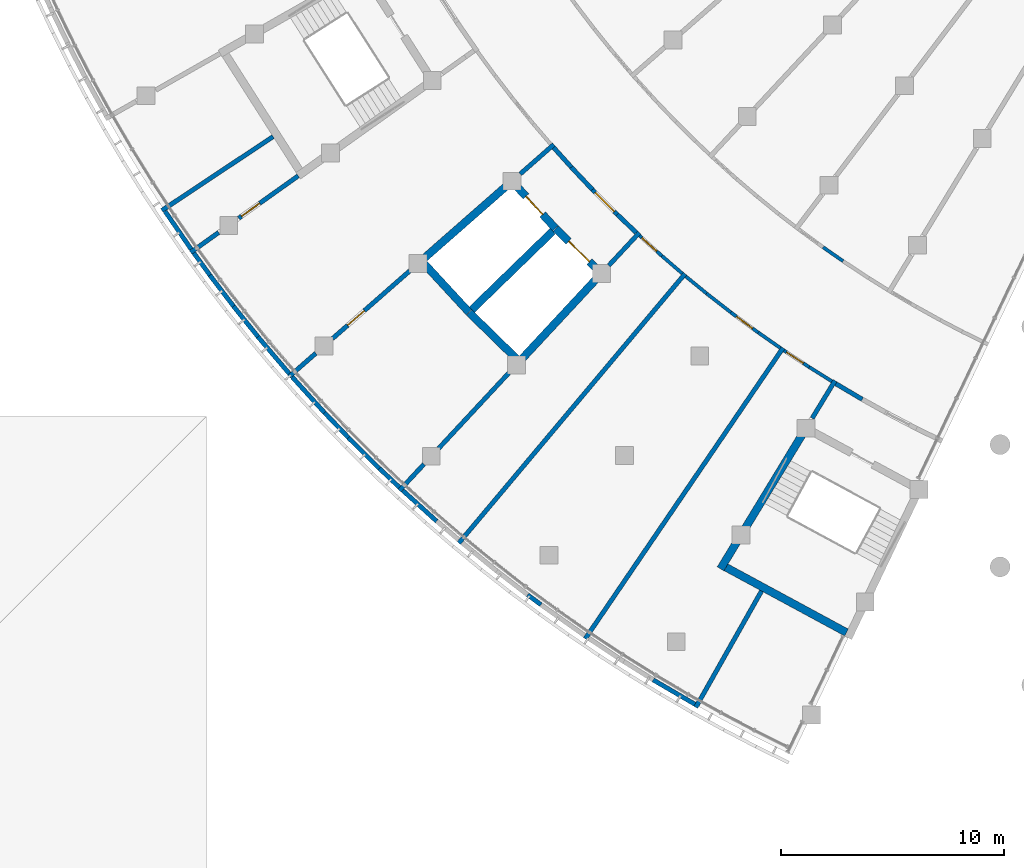
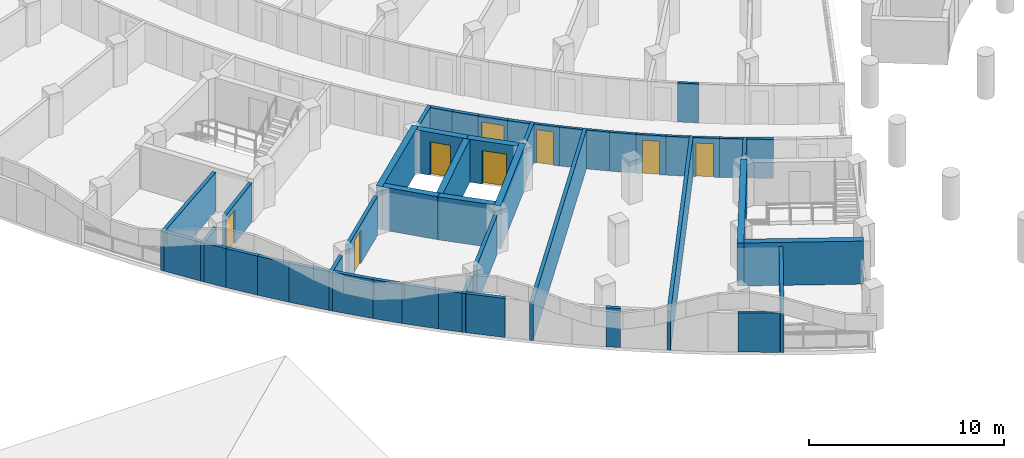
# One storey, part 37 of 89: 48 walls, 8 doors, 8 openings.
"""IFC4 building model written with IfcOpenShell, lengths in metres."""

from ifc_helpers import new_model, si_unit, direction, frame, frame_2d, origin, place, context, subcontext, project, spatial, rectangle, extrude, material, layer, layer_set, type_object, element, fill, save


model = new_model("IFC4")

# Units and contexts
model_context = context("Model", 3, precision=1e-05, world=origin(), true_north=direction((0.0, 1.0)))
body_context = subcontext(model_context, "Body", "Model", "MODEL_VIEW")
ifc_project = project(units=[si_unit("LENGTHUNIT", "METRE"), si_unit("AREAUNIT", "SQUARE_METRE"), si_unit("VOLUMEUNIT", "CUBIC_METRE"), si_unit("PLANEANGLEUNIT", "RADIAN"), si_unit("MASSUNIT", "GRAM", prefix="KILO")], contexts=[model_context])

# Site, building, storey
site_placement = place(None, origin())
site = spatial("IfcSite", under=ifc_project, at=site_placement, CompositionType="ELEMENT")
building_placement = place(site_placement, origin())
building = spatial("IfcBuilding", under=site, at=building_placement, Name="Bougainvillea Quay General Hospital", CompositionType="ELEMENT")
storey_placement = place(building_placement, frame((0.0, 0.0, 9.89990234375)))
storey = spatial("IfcBuildingStorey", under=building, at=storey_placement, Name="L01M", CompositionType="ELEMENT", Elevation=9.89990234375)

# Wall, opening, door
ifc_material_1 = material(Name="Gypsum board partition on steel studs, insulated", Category="steel")
ifc_layer_1 = layer(ifc_material_1, 0.14990234375)
ifc_layer_set_1 = layer_set([ifc_layer_1], Name="Gypsum board partition on steel studs, insulated")
wall_type_1 = type_object("IfcWallType", Name="Partition 150 Gypsum board partition EI 60", PredefinedType="PARTITIONING", material=ifc_layer_set_1)
wall_1_placement = place(storey_placement, frame((78.692138671875, 80.960205078125, 0.0), z_axis=(0.0, 0.0, 1.0), x_axis=(0.834207926362, -0.551450030007, 0.0)))
wall_1 = element("IfcWall", 1, at=wall_1_placement, inside=storey, type_object=wall_type_1, Name="Partition 150 mm EI 60", PredefinedType="PARTITIONING", context=body_context, shape_type="SweptSolid", body=[
    extrude(rectangle(XDim=1.353759765625, YDim=0.14990234375, at=frame_2d((0.6767578125, 0.0))), origin(), (0.0, 0.0, 1.0), 2.4501953125),
])
opening_1_placement = place(wall_1_placement, frame((0.138916015625, 0.0, 0.0)))
opening_1 = element("IfcOpeningElement", 2, at=opening_1_placement, cuts=wall_1, Name="Opening L01M.171", PredefinedType="OPENING", context=body_context, shape_type="SweptSolid", body=[
    extrude(rectangle(XDim=0.89990234375, YDim=2.10009765625, at=frame_2d((0.449951171875, 1.050048828125))), frame((0.0, 0.0849609375, 0.0), z_axis=(0.0, -1.0, 0.0), x_axis=(1.0, 0.0, 0.0)), (0.0, 0.0, 1.0), 0.169921875),
])
ifc_material_2 = material(Name="Solid-core timber door leaf in steel frame", Category="steel")
door_type_1 = type_object("IfcDoorType", Name="Single leaf door 900x2100 FD30S", OperationType="NOTDEFINED", PredefinedType="DOOR", material=ifc_material_2)
door_1_placement = place(opening_1_placement, frame((0.89990234375, 0.0, 0.0), z_axis=(0.0, 0.0, 1.0), x_axis=(-1.0, 0.0, 0.0)))
door_1 = element("IfcDoor", 3, at=door_1_placement, inside=storey, type_object=door_type_1, Name="DT16 L01M.171", OperationType="SINGLE_SWING_RIGHT", OverallHeight=2.10009765625, OverallWidth=0.89990234375, PredefinedType="DOOR", context=body_context, shape_type="SweptSolid", body=[
    extrude(rectangle(XDim=0.89990234375, YDim=2.10009765625, at=frame_2d((0.449951171875, 1.050048828125))), frame((0.0, 0.02490234375, 0.0), z_axis=(0.0, -1.0, 0.0), x_axis=(1.0, 0.0, 0.0)), (0.0, 0.0, 1.0), 0.050048828125),
])
fill(opening_1, door_1)

wall_2_placement = place(storey_placement, frame((72.219482421875, 86.1044921875, 0.0), z_axis=(0.0, 0.0, 1.0), x_axis=(0.740731564109, -0.671801123795, 0.0)))
wall_2 = element("IfcWall", 4, at=wall_2_placement, inside=storey, type_object=wall_type_1, Name="Partition 150 mm EI 60", PredefinedType="PARTITIONING", context=body_context, shape_type="SweptSolid", body=[
    extrude(rectangle(XDim=1.35302734375, YDim=0.14990234375, at=frame_2d((0.676513671875, 0.0))), origin(), (0.0, 0.0, 1.0), 2.4501953125),
])
opening_2_placement = place(wall_2_placement, frame((0.137939453125, 0.0, 0.0)))
opening_2 = element("IfcOpeningElement", 5, at=opening_2_placement, cuts=wall_2, Name="Opening L01M.173", PredefinedType="OPENING", context=body_context, shape_type="SweptSolid", body=[
    extrude(rectangle(XDim=0.89990234375, YDim=2.10009765625, at=frame_2d((0.449951171875, 1.050048828125))), frame((0.0, 0.0849609375, 0.0), z_axis=(0.0, -1.0, 0.0), x_axis=(1.0, 0.0, 0.0)), (0.0, 0.0, 1.0), 0.169921875),
])
door_2_placement = place(opening_2_placement, frame((0.89990234375, 0.0, 0.0), z_axis=(0.0, 0.0, 1.0), x_axis=(-1.0, 0.0, 0.0)))
door_2 = element("IfcDoor", 6, at=door_2_placement, inside=storey, type_object=door_type_1, Name="DT16 L01M.173", OperationType="SINGLE_SWING_RIGHT", OverallHeight=2.10009765625, OverallWidth=0.89990234375, PredefinedType="DOOR", context=body_context, shape_type="SweptSolid", body=[
    extrude(rectangle(XDim=0.89990234375, YDim=2.10009765625, at=frame_2d((0.449951171875, 1.050048828125))), frame((0.0, 0.02490234375, 0.0), z_axis=(0.0, -1.0, 0.0), x_axis=(1.0, 0.0, 0.0)), (0.0, 0.0, 1.0), 0.050048828125),
])
fill(opening_2, door_2)

wall_3_placement = place(storey_placement, frame((76.306640625, 82.66943359375, 0.0), z_axis=(0.0, 0.0, 1.0), x_axis=(0.805236329308, -0.592954006616, 0.0)))
wall_3 = element("IfcWall", 7, at=wall_3_placement, inside=storey, type_object=wall_type_1, Name="Partition 150 mm EI 60", PredefinedType="PARTITIONING", context=body_context, shape_type="SweptSolid", body=[
    extrude(rectangle(XDim=1.529541015625, YDim=0.14990234375, at=frame_2d((0.7646484375, 0.0))), origin(), (0.0, 0.0, 1.0), 2.4501953125),
])
opening_3_placement = place(wall_3_placement, frame((0.314697265625, 0.0, 0.0)))
opening_3 = element("IfcOpeningElement", 8, at=opening_3_placement, cuts=wall_3, Name="Opening L01M.172", PredefinedType="OPENING", context=body_context, shape_type="SweptSolid", body=[
    extrude(rectangle(XDim=0.89990234375, YDim=2.10009765625, at=frame_2d((0.449951171875, 1.050048828125))), frame((0.0, 0.0849609375, 0.0), z_axis=(0.0, -1.0, 0.0), x_axis=(1.0, 0.0, 0.0)), (0.0, 0.0, 1.0), 0.169921875),
])
door_3_placement = place(opening_3_placement, frame((0.89990234375, 0.0, 0.0), z_axis=(0.0, 0.0, 1.0), x_axis=(-1.0, 0.0, 0.0)))
door_3 = element("IfcDoor", 9, at=door_3_placement, inside=storey, type_object=door_type_1, Name="DT16 L01M.172", OperationType="SINGLE_SWING_RIGHT", OverallHeight=2.10009765625, OverallWidth=0.89990234375, PredefinedType="DOOR", context=body_context, shape_type="SweptSolid", body=[
    extrude(rectangle(XDim=0.89990234375, YDim=2.10009765625, at=frame_2d((0.449951171875, 1.050048828125))), frame((0.0, 0.02490234375, 0.0), z_axis=(0.0, -1.0, 0.0), x_axis=(1.0, 0.0, 0.0)), (0.0, 0.0, 1.0), 0.050048828125),
])
fill(opening_3, door_3)

# Walls
wall_4_placement = place(storey_placement, frame((75.21875, 83.51806640625, 0.0), z_axis=(0.0, 0.0, 1.0), x_axis=(0.789380762606, -0.613903910744, 0.0)))
element("IfcWall", 10, at=wall_4_placement, inside=storey, type_object=wall_type_1, Name="Partition 150 mm EI 60", PredefinedType="PARTITIONING", context=body_context, shape_type="SweptSolid", body=[
    extrude(rectangle(XDim=1.381591796875, YDim=0.14990234375, at=frame_2d((0.69091796875, 0.0))), origin(), (0.0, 0.0, 1.0), 2.4501953125),
])
for number, where, z_axis, x_axis, name in (
    (11, (74.2880859375, 84.281005859375, 0.0), (0.0, 0.0, 1.0), (0.774264088252, -0.632862640423, 0.0), "Partition 150 mm EI 60"),
    (12, (77.5380859375, 81.764892578125, 0.0), (0.0, 0.0, 1.0), (0.819308057674, -0.573353561627, 0.0), "Partition 150 mm EI 60"),
):
    element("IfcWall", number, at=place(storey_placement, frame(where, z_axis=z_axis, x_axis=x_axis)), inside=storey, type_object=wall_type_1, Name=name, PredefinedType="PARTITIONING", context=body_context, shape_type="SweptSolid", body=[
        extrude(rectangle(XDim=1.205078125, YDim=0.14990234375, at=frame_2d((0.6025390625, 0.0))), origin(), (0.0, 0.0, 1.0), 2.4501953125),
    ])
wall_5_placement = place(storey_placement, frame((79.821044921875, 80.216064453125, 0.0), z_axis=(0.0, 0.0, 1.0), x_axis=(0.847587948991, -0.530654943184, 0.0)))
element("IfcWall", 13, at=wall_5_placement, inside=storey, type_object=wall_type_1, Name="Partition 150 mm EI 60", PredefinedType="PARTITIONING", context=body_context, shape_type="SweptSolid", body=[
    extrude(rectangle(XDim=1.2041015625, YDim=0.14990234375, at=frame_2d((0.60205078125, 0.0))), origin(), (0.0, 0.0, 1.0), 2.4501953125),
])
wall_6_placement = place(storey_placement, frame((73.221435546875, 85.1982421875, 0.0), z_axis=(0.0, 0.0, 1.0), x_axis=(0.756977886772, -0.653440493801, 0.0)))
element("IfcWall", 14, at=wall_6_placement, inside=storey, type_object=wall_type_1, Name="Partition 150 mm EI 60", PredefinedType="PARTITIONING", context=body_context, shape_type="SweptSolid", body=[
    extrude(rectangle(XDim=1.204833984375, YDim=0.14990234375, at=frame_2d((0.6025390625, 0.0))), origin(), (0.0, 0.0, 1.0), 2.4501953125),
])
wall_7_placement = place(storey_placement, frame((80.44384765625, 85.58935546875, 0.0), z_axis=(0.0, 0.0, 1.0), x_axis=(0.821096473197, -0.570789437274, 0.0)))
element("IfcWall", 15, at=wall_7_placement, inside=storey, type_object=wall_type_1, Name="Partition 150 mm EI 60", PredefinedType="PARTITIONING", context=body_context, shape_type="SweptSolid", body=[
    extrude(rectangle(XDim=1.092529296875, YDim=0.14990234375, at=frame_2d((0.54638671875, 0.0))), origin(), (0.0, 0.0, 1.0), 2.4501953125),
])
ifc_material_3 = material(Name="Fire-rated autoclaved aerated block wall, plastered")
ifc_layer_2 = layer(ifc_material_3, 0.199951171875)
ifc_layer_set_2 = layer_set([ifc_layer_2], Name="Fire-rated autoclaved aerated block wall, plastered")
wall_type_2 = type_object("IfcWallType", Name="Partition 200 Fire-rated autoclaved aerated block wall EI 120", PredefinedType="SOLIDWALL", material=ifc_layer_set_2)
wall_8_placement = place(storey_placement, frame((70.83740234375, 84.768798828125, 0.0), z_axis=(0.0, 0.0, 1.0), x_axis=(0.681244203436, 0.732056237789, 0.0)))
element("IfcWall", 16, at=wall_8_placement, inside=storey, type_object=wall_type_2, Name="Partition 200 mm EI 120", PredefinedType="SOLIDWALL", context=body_context, shape_type="SweptSolid", body=[
    extrude(rectangle(XDim=2.01806640625, YDim=0.199951171875, at=frame_2d((1.009033203125, 0.0))), origin(), (0.0, 0.0, 1.0), 2.4501953125),
])
wall_9_placement = place(storey_placement, frame((79.955322265625, 77.923828125, 0.0), z_axis=(0.0, 0.0, 1.0), x_axis=(0.519675881268, 0.85436349315, 0.0)))
element("IfcWall", 17, at=wall_9_placement, inside=storey, type_object=wall_type_2, Name="Partition 200 mm EI 120", PredefinedType="SOLIDWALL", context=body_context, shape_type="SweptSolid", body=[
    extrude(rectangle(XDim=1.9716796875, YDim=0.199951171875, at=frame_2d((0.98583984375, 0.0))), origin(), (0.0, 0.0, 1.0), 2.4501953125),
])
wall_10_placement = place(storey_placement, frame((66.869140625, 88.874267578125, 0.0), z_axis=(0.0, 0.0, 1.0), x_axis=(0.751874567132, 0.659306177205, 0.0)))
element("IfcWall", 18, at=wall_10_placement, inside=storey, type_object=wall_type_2, Name="Partition 200 mm EI 120", PredefinedType="SOLIDWALL", context=body_context, shape_type="SweptSolid", body=[
    extrude(rectangle(XDim=2.00439453125, YDim=0.199951171875, at=frame_2d((1.002197265625, 0.0))), origin(), (0.0, 0.0, 1.0), 2.4501953125),
])

# Wall, opening, door
wall_11_placement = place(storey_placement, frame((70.101318359375, 88.173828125, 0.0), z_axis=(0.0, 0.0, 1.0), x_axis=(0.705714994949, -0.708495833371, 0.0)))
wall_11 = element("IfcWall", 19, at=wall_11_placement, inside=storey, type_object=wall_type_2, Name="Partition 200 mm EI 120", PredefinedType="SOLIDWALL", context=body_context, shape_type="SweptSolid", body=[
    extrude(rectangle(XDim=1.580322265625, YDim=0.199951171875, at=frame_2d((0.7900390625, 0.0))), origin(), (0.0, 0.0, 1.0), 2.4501953125),
])
opening_4_placement = place(wall_11_placement, frame((0.190185546875, 0.0, 0.0)))
opening_4 = element("IfcOpeningElement", 20, at=opening_4_placement, cuts=wall_11, Name="Opening L01M.169", PredefinedType="OPENING", context=body_context, shape_type="SweptSolid", body=[
    extrude(rectangle(XDim=1.199951171875, YDim=2.10009765625, at=frame_2d((0.60009765625, 1.050048828125))), frame((0.0, 0.10986328125, 0.0), z_axis=(0.0, -1.0, 0.0), x_axis=(1.0, 0.0, 0.0)), (0.0, 0.0, 1.0), 0.219970703125),
])
door_type_2 = type_object("IfcDoorType", Name="Single leaf door 1200x2100 FD60", OperationType="NOTDEFINED", PredefinedType="DOOR", material=ifc_material_2)
door_4_placement = place(opening_4_placement, frame((1.199951171875, 0.0, 0.0), z_axis=(0.0, 0.0, 1.0), x_axis=(-1.0, 0.0, 0.0)))
door_4 = element("IfcDoor", 21, at=door_4_placement, inside=storey, type_object=door_type_2, Name="DT12 L01M.169", OperationType="SINGLE_SWING_LEFT", OverallHeight=2.10009765625, OverallWidth=1.199951171875, PredefinedType="DOOR", context=body_context, shape_type="SweptSolid", body=[
    extrude(rectangle(XDim=1.199951171875, YDim=2.10009765625, at=frame_2d((0.60009765625, 1.050048828125))), frame((0.0, 0.02490234375, 0.0), z_axis=(0.0, -1.0, 0.0), x_axis=(1.0, 0.0, 0.0)), (0.0, 0.0, 1.0), 0.050048828125),
])
fill(opening_4, door_4)

# Walls
wall_12_placement = place(storey_placement, frame((81.01513671875, 79.471435546875, 0.0), z_axis=(0.0, 0.0, 1.0), x_axis=(0.860926528214, -0.508729312127, 0.0)))
element("IfcWall", 22, at=wall_12_placement, inside=storey, type_object=wall_type_2, Name="Partition 200 mm EI 120", PredefinedType="SOLIDWALL", context=body_context, shape_type="SweptSolid", body=[
    extrude(rectangle(XDim=1.378662109375, YDim=0.199951171875, at=frame_2d((0.689453125, 0.0))), origin(), (0.0, 0.0, 1.0), 2.4501953125),
])
wall_13_placement = place(storey_placement, frame((69.1552734375, 89.177490234375, 0.0), z_axis=(0.0, 0.0, 1.0), x_axis=(0.687313254989, -0.726361128858, 0.0)))
element("IfcWall", 23, at=wall_13_placement, inside=storey, type_object=wall_type_2, Name="Partition 200 mm EI 120", PredefinedType="SOLIDWALL", context=body_context, shape_type="SweptSolid", body=[
    extrude(rectangle(XDim=1.3818359375, YDim=0.199951171875, at=frame_2d((0.69091796875, 0.0))), origin(), (0.0, 0.0, 1.0), 2.4501953125),
])
for number, where, z_axis, x_axis, name in (
    (24, (68.368896484375, 90.0546875, 0.0), (0.0, 0.0, 1.0), (0.669113274241, -0.74316043102, 0.0), "Partition 200 mm EI 120"),
    (25, (71.216552734375, 87.0576171875, 0.0), (0.0, 0.0, 1.0), (0.723660671666, -0.6901559478, 0.0), "Partition 200 mm EI 120"),
):
    element("IfcWall", number, at=place(storey_placement, frame(where, z_axis=z_axis, x_axis=x_axis)), inside=storey, type_object=wall_type_2, Name=name, PredefinedType="SOLIDWALL", context=body_context, shape_type="SweptSolid", body=[
        extrude(rectangle(XDim=1.180419921875, YDim=0.199951171875, at=frame_2d((0.59033203125, 0.0))), origin(), (0.0, 0.0, 1.0), 2.4501953125),
    ])
ifc_layer_3 = layer(ifc_material_3, 0.199951171875)
ifc_layer_set_3 = layer_set([ifc_layer_3], Name="Fire-rated autoclaved aerated block wall, plastered")
wall_type_3 = type_object("IfcWallType", Name="Partition 200 Fire-rated autoclaved aerated block wall EI 60", PredefinedType="SOLIDWALL", material=ifc_layer_set_3)
wall_14_placement = place(storey_placement, frame((69.78173828125, 68.037353515625, 0.0), z_axis=(0.0, 0.0, 1.0), x_axis=(0.562346860179, 0.826901450505, 0.0)))
element("IfcWall", 26, at=wall_14_placement, inside=storey, type_object=wall_type_3, Name="Partition 200 mm EI 60", PredefinedType="SOLIDWALL", context=body_context, shape_type="SweptSolid", body=[
    extrude(rectangle(XDim=15.770263671875, YDim=0.199951171875, at=frame_2d((7.88525390625, 0.0))), origin(), (0.0, 0.0, 1.0), 2.4501953125),
])
wall_15_placement = place(storey_placement, frame((64.11572265625, 72.327392578125, 0.0), z_axis=(0.0, 0.0, 1.0), x_axis=(0.643177926086, 0.76571675925, 0.0)))
element("IfcWall", 27, at=wall_15_placement, inside=storey, type_object=wall_type_3, Name="Partition 200 mm EI 60", PredefinedType="SOLIDWALL", context=body_context, shape_type="SweptSolid", body=[
    extrude(rectangle(XDim=15.76953125, YDim=0.199951171875, at=frame_2d((7.884765625, 0.0))), origin(), (0.0, 0.0, 1.0), 2.4501953125),
])

# Wall, opening, door
wall_16_placement = place(storey_placement, frame((56.91552734375, 88.788330078125, 0.0), z_axis=(0.0, 0.0, 1.0), x_axis=(-0.81471495387, -0.579861659313, 0.0)))
wall_16 = element("IfcWall", 28, at=wall_16_placement, inside=storey, type_object=wall_type_3, Name="Partition 200 mm EI 60", PredefinedType="SOLIDWALL", context=body_context, shape_type="SweptSolid", body=[
    extrude(rectangle(XDim=3.2734375, YDim=0.199951171875, at=frame_2d((1.63671875, 0.0))), origin(), (0.0, 0.0, 1.0), 2.4501953125),
])
opening_5_placement = place(wall_16_placement, frame((2.123046875, 0.0, 0.0)))
opening_5 = element("IfcOpeningElement", 29, at=opening_5_placement, cuts=wall_16, Name="Opening L01M.202", PredefinedType="OPENING", context=body_context, shape_type="SweptSolid", body=[
    extrude(rectangle(XDim=1.0, YDim=2.10009765625, at=frame_2d((0.5, 1.050048828125))), frame((0.0, 0.10986328125, 0.0), z_axis=(0.0, -1.0, 0.0), x_axis=(1.0, 0.0, 0.0)), (0.0, 0.0, 1.0), 0.219970703125),
])
door_type_3 = type_object("IfcDoorType", Name="Single leaf door 1000x2100 FD60", OperationType="NOTDEFINED", PredefinedType="DOOR", material=ifc_material_2)
door_5_placement = place(opening_5_placement, frame((1.0, 0.0, 0.0), z_axis=(0.0, 0.0, 1.0), x_axis=(-1.0, 0.0, 0.0)))
door_5 = element("IfcDoor", 30, at=door_5_placement, inside=storey, type_object=door_type_3, Name="DT14 L01M.202", OperationType="SINGLE_SWING_LEFT", OverallHeight=2.10009765625, OverallWidth=1.0, PredefinedType="DOOR", context=body_context, shape_type="SweptSolid", body=[
    extrude(rectangle(XDim=1.0, YDim=2.10009765625, at=frame_2d((0.5, 1.050048828125))), frame((0.0, 0.02490234375, 0.0), z_axis=(0.0, -1.0, 0.0), x_axis=(1.0, 0.0, 0.0)), (0.0, 0.0, 1.0), 0.050048828125),
])
fill(opening_5, door_5)

# Walls
wall_17_placement = place(storey_placement, frame((53.348876953125, 86.249755859375, 0.0), z_axis=(0.0, 0.0, 1.0), x_axis=(-0.814747724333, -0.57981561353, 0.0)))
element("IfcWall", 31, at=wall_17_placement, inside=storey, type_object=wall_type_3, Name="Partition 200 mm EI 60", PredefinedType="SOLIDWALL", context=body_context, shape_type="SweptSolid", body=[
    extrude(rectangle(XDim=1.543212890625, YDim=0.199951171875, at=frame_2d((0.771484375, 0.0))), origin(), (0.0, 0.0, 1.0), 2.4501953125),
])
wall_18_placement = place(storey_placement, frame((61.452880859375, 74.682861328125, 0.0), z_axis=(0.0, 0.0, 1.0), x_axis=(0.681298293641, 0.732005898256, 0.0)))
element("IfcWall", 32, at=wall_18_placement, inside=storey, type_object=wall_type_3, Name="Partition 200 mm EI 60", PredefinedType="SOLIDWALL", context=body_context, shape_type="SweptSolid", body=[
    extrude(rectangle(XDim=1.613037109375, YDim=0.199951171875, at=frame_2d((0.806640625, 0.0))), origin(), (0.0, 0.0, 1.0), 2.4501953125),
])
wall_19_placement = place(storey_placement, frame((63.208251953125, 76.569091796875, 0.0), z_axis=(0.0, 0.0, 1.0), x_axis=(0.681260886231, 0.732040712592, 0.0)))
element("IfcWall", 33, at=wall_19_placement, inside=storey, type_object=wall_type_3, Name="Partition 200 mm EI 60", PredefinedType="SOLIDWALL", context=body_context, shape_type="SweptSolid", body=[
    extrude(rectangle(XDim=4.634765625, YDim=0.199951171875, at=frame_2d((2.3173828125, 0.0))), origin(), (0.0, 0.0, 1.0), 2.4501953125),
])
wall_20_placement = place(storey_placement, frame((56.501708984375, 79.781982421875, 0.0), z_axis=(0.0, 0.0, 1.0), x_axis=(0.751838752522, 0.659347018046, 0.0)))
element("IfcWall", 34, at=wall_20_placement, inside=storey, type_object=wall_type_3, Name="Partition 200 mm EI 60", PredefinedType="SOLIDWALL", context=body_context, shape_type="SweptSolid", body=[
    extrude(rectangle(XDim=1.599609375, YDim=0.199951171875, at=frame_2d((0.7998046875, 0.0))), origin(), (0.0, 0.0, 1.0), 2.4501953125),
])

# Wall, opening, door
wall_21_placement = place(storey_placement, frame((58.448486328125, 81.4892578125, 0.0), z_axis=(0.0, 0.0, 1.0), x_axis=(0.751828199761, 0.659359050931, 0.0)))
wall_21 = element("IfcWall", 35, at=wall_21_placement, inside=storey, type_object=wall_type_3, Name="Partition 200 mm EI 60", PredefinedType="SOLIDWALL", context=body_context, shape_type="SweptSolid", body=[
    extrude(rectangle(XDim=4.60986328125, YDim=0.199951171875, at=frame_2d((2.304931640625, 0.0))), origin(), (0.0, 0.0, 1.0), 2.4501953125),
])
opening_6_placement = place(wall_21_placement, frame((0.90771484375, 0.0, 0.0)))
opening_6 = element("IfcOpeningElement", 36, at=opening_6_placement, cuts=wall_21, Name="Opening L01M.201", PredefinedType="OPENING", context=body_context, shape_type="SweptSolid", body=[
    extrude(rectangle(XDim=1.0, YDim=2.10009765625, at=frame_2d((0.5, 1.050048828125))), frame((0.0, 0.10986328125, 0.0), z_axis=(0.0, -1.0, 0.0), x_axis=(1.0, 0.0, 0.0)), (0.0, 0.0, 1.0), 0.219970703125),
])
door_6_placement = place(opening_6_placement, frame((1.0, 0.0, 0.0), z_axis=(0.0, 0.0, 1.0), x_axis=(-1.0, 0.0, 0.0)))
door_6 = element("IfcDoor", 37, at=door_6_placement, inside=storey, type_object=door_type_3, Name="DT14 L01M.201", OperationType="SINGLE_SWING_RIGHT", OverallHeight=2.10009765625, OverallWidth=1.0, PredefinedType="DOOR", context=body_context, shape_type="SweptSolid", body=[
    extrude(rectangle(XDim=1.0, YDim=2.10009765625, at=frame_2d((0.5, 1.050048828125))), frame((0.0, 0.02490234375, 0.0), z_axis=(0.0, -1.0, 0.0), x_axis=(1.0, 0.0, 0.0)), (0.0, 0.0, 1.0), 0.050048828125),
])
fill(opening_6, door_6)

# Walls
wall_22_placement = place(storey_placement, frame((74.73876953125, 64.9609375, 0.0), z_axis=(0.0, 0.0, 1.0), x_axis=(0.491673127101, 0.870779843638, 0.0)))
element("IfcWall", 38, at=wall_22_placement, inside=storey, type_object=wall_type_3, Name="Partition 200 mm EI 60", PredefinedType="SOLIDWALL", context=body_context, shape_type="SweptSolid", body=[
    extrude(rectangle(XDim=5.990478515625, YDim=0.199951171875, at=frame_2d((2.9951171875, 0.0))), origin(), (0.0, 0.0, 1.0), 2.4501953125),
])
wall_23_placement = place(storey_placement, frame((50.80078125, 87.234619140625, 0.0), z_axis=(0.0, 0.0, 1.0), x_axis=(0.833052255581, 0.55319430535, 0.0)))
element("IfcWall", 39, at=wall_23_placement, inside=storey, type_object=wall_type_3, Name="Partition 200 mm EI 60", PredefinedType="SOLIDWALL", context=body_context, shape_type="SweptSolid", body=[
    extrude(rectangle(XDim=5.98974609375, YDim=0.199951171875, at=frame_2d((2.994873046875, 0.0))), origin(), (0.0, 0.0, 1.0), 2.4501953125),
])
wall_24_placement = place(storey_placement, frame((50.94140625, 87.206298828125, 0.0), z_axis=(0.0, 0.0, 1.0), x_axis=(0.566139049515, -0.824309757685, 0.0)))
element("IfcWall", 40, at=wall_24_placement, inside=storey, type_object=wall_type_3, Name="Partition 200 mm EI 60", PredefinedType="SOLIDWALL", context=body_context, shape_type="SweptSolid", body=[
    extrude(rectangle(XDim=2.07373046875, YDim=0.199951171875, at=frame_2d((1.036865234375, 0.0))), origin(), (0.0, 0.0, 1.0), 2.4501953125),
])
wall_25_placement = place(storey_placement, frame((72.82568359375, 66.1923828125, 0.0), z_axis=(0.0, 0.0, 1.0), x_axis=(0.863848254848, -0.503752114235, 0.0)))
element("IfcWall", 41, at=wall_25_placement, inside=storey, type_object=wall_type_3, Name="Partition 200 mm EI 60", PredefinedType="SOLIDWALL", context=body_context, shape_type="SweptSolid", body=[
    extrude(rectangle(XDim=2.170166015625, YDim=0.199951171875, at=frame_2d((1.0849609375, 0.0))), origin(), (0.0, 0.0, 1.0), 2.4501953125),
])
wall_26_placement = place(storey_placement, frame((55.107177734375, 81.5751953125, 0.0), z_axis=(0.0, 0.0, 1.0), x_axis=(0.648086647045, -0.761566607673, 0.0)))
element("IfcWall", 42, at=wall_26_placement, inside=storey, type_object=wall_type_3, Name="Partition 200 mm EI 60", PredefinedType="SOLIDWALL", context=body_context, shape_type="SweptSolid", body=[
    extrude(rectangle(XDim=2.16650390625, YDim=0.199951171875, at=frame_2d((1.083251953125, 0.0))), origin(), (0.0, 0.0, 1.0), 2.4501953125),
])
wall_27_placement = place(storey_placement, frame((56.64501953125, 79.772705078125, 0.0), z_axis=(0.0, 0.0, 1.0), x_axis=(0.670160042389, -0.742216624433, 0.0)))
element("IfcWall", 43, at=wall_27_placement, inside=storey, type_object=wall_type_3, Name="Partition 200 mm EI 60", PredefinedType="SOLIDWALL", context=body_context, shape_type="SweptSolid", body=[
    extrude(rectangle(XDim=2.1650390625, YDim=0.199951171875, at=frame_2d((1.08251953125, 0.0))), origin(), (0.0, 0.0, 1.0), 2.4501953125),
])
wall_28_placement = place(storey_placement, frame((61.59619140625, 74.68798828125, 0.0), z_axis=(0.0, 0.0, 1.0), x_axis=(0.741123207898, -0.671369042118, 0.0)))
element("IfcWall", 44, at=wall_28_placement, inside=storey, type_object=wall_type_3, Name="Partition 200 mm EI 60", PredefinedType="SOLIDWALL", context=body_context, shape_type="SweptSolid", body=[
    extrude(rectangle(XDim=2.0615234375, YDim=0.199951171875, at=frame_2d((1.03076171875, 0.0))), origin(), (0.0, 0.0, 1.0), 2.4501953125),
])
wall_29_placement = place(storey_placement, frame((54.013427734375, 82.94091796875, 0.0), z_axis=(0.0, 0.0, 1.0), x_axis=(0.626324597099, -0.779562376638, 0.0)))
element("IfcWall", 45, at=wall_29_placement, inside=storey, type_object=wall_type_3, Name="Partition 200 mm EI 60", PredefinedType="SOLIDWALL", context=body_context, shape_type="SweptSolid", body=[
    extrude(rectangle(XDim=1.75244140625, YDim=0.199951171875, at=frame_2d((0.876220703125, 0.0))), origin(), (0.0, 0.0, 1.0), 2.4501953125),
])
wall_30_placement = place(storey_placement, frame((52.954345703125, 84.33349609375, 0.0), z_axis=(0.0, 0.0, 1.0), x_axis=(0.606513388839, -0.795073272824, 0.0)))
element("IfcWall", 46, at=wall_30_placement, inside=storey, type_object=wall_type_3, Name="Partition 200 mm EI 60", PredefinedType="SOLIDWALL", context=body_context, shape_type="SweptSolid", body=[
    extrude(rectangle(XDim=1.751708984375, YDim=0.199951171875, at=frame_2d((0.8759765625, 0.0))), origin(), (0.0, 0.0, 1.0), 2.4501953125),
])
wall_31_placement = place(storey_placement, frame((59.1669921875, 77.04638671875, 0.0), z_axis=(0.0, 0.0, 1.0), x_axis=(0.709420123095, -0.704785846161, 0.0)))
element("IfcWall", 47, at=wall_31_placement, inside=storey, type_object=wall_type_3, Name="Partition 200 mm EI 60", PredefinedType="SOLIDWALL", context=body_context, shape_type="SweptSolid", body=[
    extrude(rectangle(XDim=1.94921875, YDim=0.199951171875, at=frame_2d((0.974609375, 0.0))), origin(), (0.0, 0.0, 1.0), 2.4501953125),
])
wall_32_placement = place(storey_placement, frame((58.09619140625, 78.169677734375, 0.0), z_axis=(0.0, 0.0, 1.0), x_axis=(0.691226212007, -0.722638446136, 0.0)))
element("IfcWall", 48, at=wall_32_placement, inside=storey, type_object=wall_type_3, Name="Partition 200 mm EI 60", PredefinedType="SOLIDWALL", context=body_context, shape_type="SweptSolid", body=[
    extrude(rectangle(XDim=1.554443359375, YDim=0.199951171875, at=frame_2d((0.77734375, 0.0))), origin(), (0.0, 0.0, 1.0), 2.4501953125),
])
wall_33_placement = place(storey_placement, frame((60.5498046875, 75.67578125, 0.0), z_axis=(0.0, 0.0, 1.0), x_axis=(0.726092732702, -0.687596788472, 0.0)))
element("IfcWall", 49, at=wall_33_placement, inside=storey, type_object=wall_type_3, Name="Partition 200 mm EI 60", PredefinedType="SOLIDWALL", context=body_context, shape_type="SweptSolid", body=[
    extrude(rectangle(XDim=1.236572265625, YDim=0.199951171875, at=frame_2d((0.6181640625, 0.0))), origin(), (0.0, 0.0, 1.0), 2.4501953125),
])
wall_34_placement = place(storey_placement, frame((52.232421875, 85.331298828125, 0.0), z_axis=(0.0, 0.0, 1.0), x_axis=(0.587677444687, -0.809095310211, 0.0)))
element("IfcWall", 50, at=wall_34_placement, inside=storey, type_object=wall_type_3, Name="Partition 200 mm EI 60", PredefinedType="SOLIDWALL", context=body_context, shape_type="SweptSolid", body=[
    extrude(rectangle(XDim=1.23388671875, YDim=0.199951171875, at=frame_2d((0.616943359375, 0.0))), origin(), (0.0, 0.0, 1.0), 2.4501953125),
])
wall_35_placement = place(storey_placement, frame((67.19970703125, 70.00390625, 0.0), z_axis=(0.0, 0.0, 1.0), x_axis=(0.804915032291, -0.593390083159, 0.0)))
element("IfcWall", 51, at=wall_35_placement, inside=storey, type_object=wall_type_3, Name="Partition 200 mm EI 60", PredefinedType="SOLIDWALL", context=body_context, shape_type="SweptSolid", body=[
    extrude(rectangle(XDim=0.740966796875, YDim=0.199951171875, at=frame_2d((0.37060546875, 0.0))), origin(), (0.0, 0.0, 1.0), 2.4501953125),
])
ifc_material_4 = material(Name="Concrete C40", Category="concrete")
ifc_layer_4 = layer(ifc_material_4, 0.35009765625)
ifc_layer_set_4 = layer_set([ifc_layer_4], Name="Concrete C40")
wall_type_4 = type_object("IfcWallType", Name="RC SHEAR WALL 350 C40", PredefinedType="SHEAR", material=ifc_layer_set_4)
wall_36_placement = place(storey_placement, frame((62.305419921875, 84.87158203125, 0.0), z_axis=(0.0, 0.0, 1.0), x_axis=(0.751808220443, 0.659381831471, 0.0)))
element("IfcWall", 52, at=wall_36_placement, inside=storey, type_object=wall_type_4, Name="Shear wall L01M", PredefinedType="SHEAR", context=body_context, shape_type="SweptSolid", body=[
    extrude(rectangle(XDim=5.75048828125, YDim=0.35009765625, at=frame_2d((2.875244140625, 0.0))), origin(), (0.0, 0.0, 1.0), 2.7001953125),
])
wall_37_placement = place(storey_placement, frame((62.5556640625, 84.8583984375, 0.0), z_axis=(0.0, 0.0, 1.0), x_axis=(0.67818124014, -0.73489469009, 0.0)))
element("IfcWall", 53, at=wall_37_placement, inside=storey, type_object=wall_type_4, Name="Shear wall L01M", PredefinedType="SHEAR", context=body_context, shape_type="SweptSolid", body=[
    extrude(rectangle(XDim=2.974609375, YDim=0.35009765625, at=frame_2d((1.4873046875, 0.0))), origin(), (0.0, 0.0, 1.0), 2.7001953125),
])
wall_38_placement = place(storey_placement, frame((64.5791015625, 82.665771484375, 0.0), z_axis=(0.0, 0.0, 1.0), x_axis=(0.714695816666, -0.699435407769, 0.0)))
element("IfcWall", 54, at=wall_38_placement, inside=storey, type_object=wall_type_4, Name="Shear wall L01M", PredefinedType="SHEAR", context=body_context, shape_type="SweptSolid", body=[
    extrude(rectangle(XDim=2.9755859375, YDim=0.35009765625, at=frame_2d((1.48779296875, 0.0))), origin(), (0.0, 0.0, 1.0), 2.7001953125),
])
wall_39_placement = place(storey_placement, frame((64.70166015625, 82.791015625, 0.0), z_axis=(0.0, 0.0, 1.0), x_axis=(0.717400873641, 0.696660596345, 0.0)))
element("IfcWall", 55, at=wall_39_placement, inside=storey, type_object=wall_type_4, Name="Shear wall L01M", PredefinedType="SHEAR", context=body_context, shape_type="SweptSolid", body=[
    extrude(rectangle(XDim=5.0498046875, YDim=0.35009765625, at=frame_2d((2.52490234375, 0.0))), origin(), (0.0, 0.0, 1.0), 2.7001953125),
])
wall_40_placement = place(storey_placement, frame((66.7119140625, 80.333984375, 0.0), z_axis=(0.0, 0.0, 1.0), x_axis=(0.681084356202, 0.732204957465, 0.0)))
element("IfcWall", 56, at=wall_40_placement, inside=storey, type_object=wall_type_4, Name="Shear wall L01M", PredefinedType="SHEAR", context=body_context, shape_type="SweptSolid", body=[
    extrude(rectangle(XDim=5.75, YDim=0.35009765625, at=frame_2d((2.875, 0.0))), origin(), (0.0, 0.0, 1.0), 2.7001953125),
])

# Wall, opening, door
wall_41_placement = place(storey_placement, frame((68.447021484375, 86.434326171875, 0.0), z_axis=(0.0, 0.0, 1.0), x_axis=(-0.678058558992, 0.735007884704, 0.0)))
wall_41 = element("IfcWall", 57, at=wall_41_placement, inside=storey, type_object=wall_type_4, Name="Shear wall L01M", PredefinedType="SHEAR", context=body_context, shape_type="SweptSolid", body=[
    extrude(rectangle(XDim=2.70068359375, YDim=0.35009765625, at=frame_2d((1.350341796875, 0.0))), origin(), (0.0, 0.0, 1.0), 2.7001953125),
])
opening_7_placement = place(wall_41_placement, frame((0.85009765625, 0.0, 0.0)))
opening_7 = element("IfcOpeningElement", 58, at=opening_7_placement, cuts=wall_41, Name="Opening LD-W1.2-L01M", PredefinedType="OPENING", context=body_context, shape_type="SweptSolid", body=[
    extrude(rectangle(XDim=1.10009765625, YDim=2.10009765625, at=frame_2d((0.550048828125, 1.050048828125))), frame((0.0, 0.18505859375, 0.0), z_axis=(0.0, -1.0, 0.0), x_axis=(1.0, 0.0, 0.0)), (0.0, 0.0, 1.0), 0.3701171875),
])
ifc_material_5 = material(Name="Stainless steel centre-opening landing door", Category="steel")
door_type_4 = type_object("IfcDoorType", Name="Lift landing door 1100x2100 E 120", OperationType="DOUBLE_DOOR_SLIDING", PredefinedType="DOOR", material=ifc_material_5)
door_7_placement = place(opening_7_placement, origin())
door_7 = element("IfcDoor", 59, at=door_7_placement, inside=storey, type_object=door_type_4, Name="Lift landing door LB-W1-2 L01M", OperationType="DOUBLE_DOOR_SLIDING", OverallHeight=2.10009765625, OverallWidth=1.10009765625, PredefinedType="DOOR", context=body_context, shape_type="SweptSolid", body=[
    extrude(rectangle(XDim=1.10009765625, YDim=2.10009765625, at=frame_2d((0.550048828125, 1.050048828125))), frame((0.0, 0.02490234375, 0.0), z_axis=(0.0, -1.0, 0.0), x_axis=(1.0, 0.0, 0.0)), (0.0, 0.0, 1.0), 0.050048828125),
])
fill(opening_7, door_7)

wall_42_placement = place(storey_placement, frame((70.384033203125, 84.538330078125, 0.0), z_axis=(0.0, 0.0, 1.0), x_axis=(-0.714701443082, 0.699429658548, 0.0)))
wall_42 = element("IfcWall", 60, at=wall_42_placement, inside=storey, type_object=wall_type_4, Name="Shear wall L01M", PredefinedType="SHEAR", context=body_context, shape_type="SweptSolid", body=[
    extrude(rectangle(XDim=2.70166015625, YDim=0.35009765625, at=frame_2d((1.350830078125, 0.0))), origin(), (0.0, 0.0, 1.0), 2.7001953125),
])
opening_8_placement = place(wall_42_placement, frame((0.580810546875, 0.0, 0.0)))
opening_8 = element("IfcOpeningElement", 61, at=opening_8_placement, cuts=wall_42, Name="Opening LD-W1.1-L01M", PredefinedType="OPENING", context=body_context, shape_type="SweptSolid", body=[
    extrude(rectangle(XDim=1.300048828125, YDim=2.10009765625, at=frame_2d((0.64990234375, 1.050048828125))), frame((0.0, 0.18505859375, 0.0), z_axis=(0.0, -1.0, 0.0), x_axis=(1.0, 0.0, 0.0)), (0.0, 0.0, 1.0), 0.3701171875),
])
door_type_5 = type_object("IfcDoorType", Name="Lift landing door 1300x2100 E 120", OperationType="DOUBLE_DOOR_SLIDING", PredefinedType="DOOR", material=ifc_material_5)
door_8_placement = place(opening_8_placement, origin())
door_8 = element("IfcDoor", 62, at=door_8_placement, inside=storey, type_object=door_type_5, Name="Lift landing door LB-W1-1 L01M", OperationType="DOUBLE_DOOR_SLIDING", OverallHeight=2.10009765625, OverallWidth=1.300048828125, PredefinedType="DOOR", context=body_context, shape_type="SweptSolid", body=[
    extrude(rectangle(XDim=1.300048828125, YDim=2.10009765625, at=frame_2d((0.64990234375, 1.050048828125))), frame((0.0, 0.02490234375, 0.0), z_axis=(0.0, -1.0, 0.0), x_axis=(1.0, 0.0, 0.0)), (0.0, 0.0, 1.0), 0.050048828125),
])
fill(opening_8, door_8)

# Walls
wall_43_placement = place(storey_placement, frame((75.84814453125, 71.172607421875, 0.0), z_axis=(0.0, 0.0, 1.0), x_axis=(0.51973149438, 0.854329663391, 0.0)))
element("IfcWall", 63, at=wall_43_placement, inside=storey, type_object=wall_type_4, Name="Shear wall L01M", PredefinedType="SHEAR", context=body_context, shape_type="SweptSolid", body=[
    extrude(rectangle(XDim=7.5498046875, YDim=0.35009765625, at=frame_2d((3.77490234375, 0.0))), origin(), (0.0, 0.0, 1.0), 2.7001953125),
])
wall_44_placement = place(storey_placement, frame((81.4931640625, 68.318359375, 0.0), z_axis=(0.0, 0.0, 1.0), x_axis=(-0.87961028102, 0.475695021546, 0.0)))
element("IfcWall", 64, at=wall_44_placement, inside=storey, type_object=wall_type_4, Name="Shear wall L01M", PredefinedType="SHEAR", context=body_context, shape_type="SweptSolid", body=[
    extrude(rectangle(XDim=6.13916015625, YDim=0.35009765625, at=frame_2d((3.069580078125, 0.0))), origin(), (0.0, 0.0, 1.0), 2.7001953125),
])

save(model, "model.ifc")
